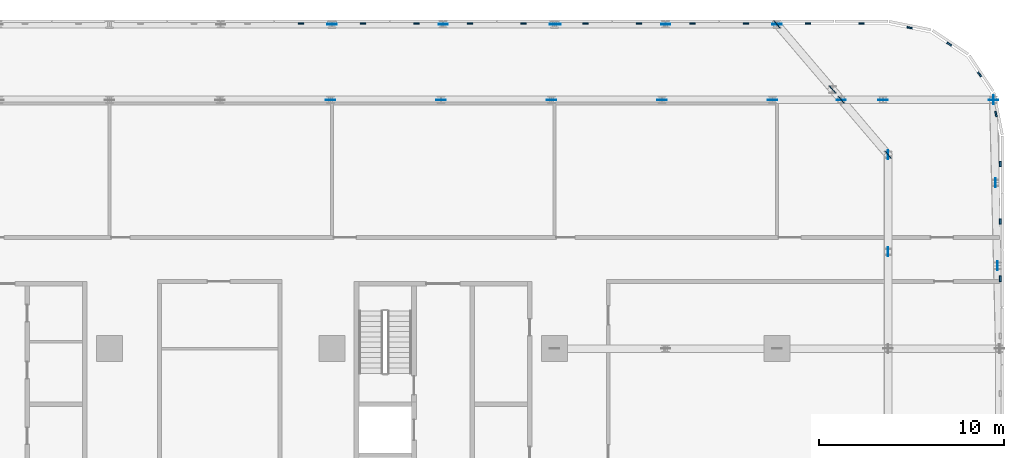
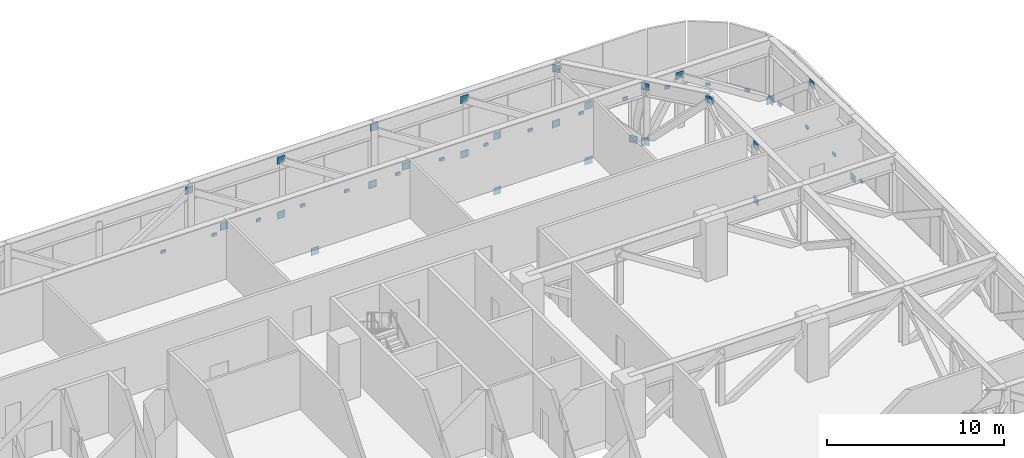
# One storey, part 20 of 26: 47 discrete accessories.
"""IFC4 building model written with IfcOpenShell, lengths in metres."""

from ifc_helpers import new_model, si_unit, direction, frame, origin, origin_2d, place, context, subcontext, project, spatial, rectangle, extrude, material, layer, layer_set, type_object, element, save


model = new_model("IFC4")

# Units and contexts
model_context = context("Model", 3, precision=1e-05, world=origin(), true_north=direction((0.0, 1.0)))
body_context = subcontext(model_context, "Body", "Model", "MODEL_VIEW")
ifc_project = project(units=[si_unit("LENGTHUNIT", "METRE"), si_unit("AREAUNIT", "SQUARE_METRE"), si_unit("VOLUMEUNIT", "CUBIC_METRE"), si_unit("PLANEANGLEUNIT", "RADIAN"), si_unit("MASSUNIT", "GRAM", prefix="KILO")], contexts=[model_context])

# Site, building, storey
site_placement = place(None, origin())
site = spatial("IfcSite", under=ifc_project, at=site_placement, CompositionType="ELEMENT")
building_placement = place(site_placement, origin())
building = spatial("IfcBuilding", under=site, at=building_placement, Name="Mahtab Terrace Research Tower", CompositionType="ELEMENT")
storey_placement = place(building_placement, frame((0.0, 0.0, 117.60009765625)))
storey = spatial("IfcBuildingStorey", under=building, at=storey_placement, Name="L27", CompositionType="ELEMENT", Elevation=117.60009765625)

# Discrete accessories
ifc_material_1 = material(Name="Black anodised aluminium", Category="aluminium")
discrete_accessory_type_1 = type_object("IfcDiscreteAccessoryType", Name="Facade bracket", PredefinedType="BRACKET", material=ifc_material_1)
for number, where, z_axis, x_axis, name in (
    (1, (54.044921875, 15.272705078125, -0.30029296875), (0.0, 0.0, 1.0), (0.0, 1.0, 0.0), "Louvre bracket L27 15"),
    (2, (54.044921875, 18.363525390625, -0.30029296875), (0.0, 0.0, 1.0), (0.0, 1.0, 0.0), "Louvre bracket L27 16"),
    (3, (54.044921875, 21.45458984375, -0.30029296875), (0.0, 0.0, 1.0), (0.0, 1.0, 0.0), "Louvre bracket L27 17"),
    (4, (53.815673828125, 24.15673828125, -0.30029296875), (0.0, 0.0, 1.0), (-0.195212442692, 0.980760981187, 0.0), "Louvre bracket L27 18"),
    (5, (52.930419921875, 26.29443359375, -0.30029296875), (0.0, 0.0, 1.0), (-0.555291490808, 0.831655794326, 0.0), "Louvre bracket L27 19"),
    (6, (51.29443359375, 27.930419921875, -0.30029296875), (0.0, 0.0, 1.0), (-0.831655794326, 0.555291490808, 0.0), "Louvre bracket L27 20"),
    (7, (49.15673828125, 28.815673828125, -0.30029296875), (0.0, 0.0, 1.0), (-0.980760981187, 0.195212442692, 0.0), "Louvre bracket L27 21"),
    (8, (46.556884765625, 29.044921875, -0.30029296875), (0.0, 0.0, 1.0), (-1.0, 0.0, 0.0), "Louvre bracket L27 22"),
    (9, (43.6708984375, 29.044921875, -0.30029296875), (0.0, 0.0, 1.0), (-1.0, 0.0, 0.0), "Louvre bracket L27 23"),
    (10, (40.3291015625, 29.044921875, -0.30029296875), (0.0, 0.0, 1.0), (-1.0, 0.0, 0.0), "Louvre bracket L27 24"),
    (11, (37.443115234375, 29.044921875, -0.30029296875), (0.0, 0.0, 1.0), (-1.0, 0.0, 0.0), "Louvre bracket L27 25"),
    (12, (34.556884765625, 29.044921875, -0.30029296875), (0.0, 0.0, 1.0), (-1.0, 0.0, 0.0), "Louvre bracket L27 26"),
    (13, (31.6708984375, 29.044921875, -0.30029296875), (0.0, 0.0, 1.0), (-1.0, 0.0, 0.0), "Louvre bracket L27 27"),
    (14, (28.3291015625, 29.044921875, -0.30029296875), (0.0, 0.0, 1.0), (-1.0, 0.0, 0.0), "Louvre bracket L27 28"),
    (15, (25.443115234375, 29.044921875, -0.30029296875), (0.0, 0.0, 1.0), (-1.0, 0.0, 0.0), "Louvre bracket L27 29"),
    (16, (22.556884765625, 29.044921875, -0.30029296875), (0.0, 0.0, 1.0), (-1.0, 0.0, 0.0), "Louvre bracket L27 30"),
    (17, (19.6708984375, 29.044921875, -0.30029296875), (0.0, 0.0, 1.0), (-1.0, 0.0, 0.0), "Louvre bracket L27 31"),
    (18, (16.3291015625, 29.044921875, -0.30029296875), (0.0, 0.0, 1.0), (-1.0, 0.0, 0.0), "Louvre bracket L27 32"),
):
    element("IfcDiscreteAccessory", number, at=place(storey_placement, frame(where, z_axis=z_axis, x_axis=x_axis)), inside=storey, type_object=discrete_accessory_type_1, Name=name, PredefinedType="BRACKET", context=body_context, shape_type="SweptSolid", body=[
        extrude(rectangle(XDim=0.300048828125, YDim=0.090087890625, at=origin_2d()), origin(), (0.0, 0.0, 1.0), 0.199951171875),
    ])
ifc_material_2 = material(Name="Steel ASTM A992 Gr 50", Category="steel")
ifc_layer = layer(ifc_material_2, 0.030029296875)
ifc_layer_set = layer_set([ifc_layer], Name="Gusset plate 500x500x30")
discrete_accessory_type_2 = type_object("IfcDiscreteAccessoryType", Name="Gusset plate 500x500x30", PredefinedType="USERDEFINED", material=ifc_layer_set)
for number, where, z_axis, x_axis, name in (
    (19, (17.9208984375, 24.927001953125, 3.251220703125), (0.0, 0.0, 1.0), (1.0, 0.0, 0.0), "Gusset plate"),
    (20, (18.0, 29.0, 3.251220703125), (0.0, 0.0, 1.0), (1.0, 0.0, 0.0), "Gusset plate"),
    (21, (23.881103515625, 24.927001953125, -0.558837890625), (0.0, 0.0, 1.0), (1.0, 0.0, 0.0), "Gusset plate"),
    (22, (24.0, 29.0, -0.558837890625), (0.0, 0.0, 1.0), (1.0, 0.0, 0.0), "Gusset plate"),
    (23, (24.0, 29.0, 3.251220703125), (0.0, 0.0, 1.0), (1.0, 0.0, 0.0), "Gusset plate"),
    (24, (29.841064453125, 24.927001953125, 3.251220703125), (0.0, 0.0, 1.0), (1.0, 0.0, 0.0), "Gusset plate"),
    (25, (30.0, 29.0, -0.558837890625), (0.0, 0.0, 1.0), (1.0, 0.0, 0.0), "Gusset plate"),
    (26, (30.102783203125, 29.0, 3.37646484375), (0.0, 0.0, 1.0), (1.0, 0.0, 0.0), "Gusset plate"),
    (27, (35.801025390625, 24.927001953125, -0.558837890625), (0.0, 0.0, 1.0), (1.0, 0.0, 0.0), "Gusset plate"),
    (28, (35.801025390625, 24.927001953125, 3.251220703125), (0.0, 0.0, 1.0), (1.0, 0.0, 0.0), "Gusset plate"),
    (29, (36.0, 29.0, -0.558837890625), (0.0, 0.0, 1.0), (1.0, 0.0, 0.0), "Gusset plate"),
    (30, (36.0, 29.0, 3.251220703125), (0.0, 0.0, 1.0), (1.0, 0.0, 0.0), "Gusset plate"),
    (31, (41.760986328125, 24.927001953125, -0.558837890625), (0.0, 0.0, 1.0), (1.0, 0.0, 0.0), "Gusset plate"),
    (32, (41.760986328125, 24.927001953125, 3.251220703125), (0.0, 0.0, 1.0), (1.0, 0.0, 0.0), "Gusset plate"),
    (33, (42.0, 29.0, -0.558837890625), (0.0, 0.0, 1.0), (1.0, 0.0, 0.0), "Gusset plate"),
    (34, (45.471923828125, 24.927001953125, -0.558837890625), (0.0, 0.0, 1.0), (1.0, 0.0, 0.0), "Gusset plate"),
    (35, (47.721923828125, 24.927001953125, 3.251220703125), (0.0, 0.0, 1.0), (1.0, 0.0, 0.0), "Gusset plate"),
    (36, (53.681884765625, 24.927001953125, -0.558837890625), (0.0, 0.0, 1.0), (1.0, 0.0, 0.0), "Gusset plate"),
    (37, (48.0, 16.73095703125, -0.558837890625), (0.0, 0.0, 1.0), (0.0, 1.0, 0.0), "Gusset plate"),
    (38, (48.0, 16.73095703125, 3.251220703125), (0.0, 0.0, 1.0), (0.0, 1.0, 0.0), "Gusset plate"),
    (39, (48.0, 21.9619140625, 3.251220703125), (0.0, 0.0, 1.0), (0.0, 1.0, 0.0), "Gusset plate"),
    (40, (53.681884765625, 24.927001953125, -0.558837890625), (0.0, 0.0, 1.0), (-0.023681903794, 0.999719544389, 0.0), "Gusset plate"),
    (41, (53.7880859375, 20.450927734375, 3.251220703125), (0.0, 0.0, 1.0), (-0.023681903794, 0.999719544389, 0.0), "Gusset plate"),
    (42, (53.89404296875, 15.97607421875, -0.558837890625), (0.0, 0.0, 1.0), (-0.023681903794, 0.999719544389, 0.0), "Gusset plate"),
    (43, (42.0, 29.0, 3.251220703125), (0.0, 0.0, 1.0), (-0.648757658391, 0.760995072703, 0.0), "Gusset plate"),
    (44, (45.0, 25.48095703125, -0.558837890625), (0.0, 0.0, 1.0), (-0.648757658391, 0.760995072703, 0.0), "Gusset plate"),
    (45, (45.471923828125, 24.927001953125, -0.558837890625), (0.0, 0.0, 1.0), (-0.648797503111, 0.760961102788, 0.0), "Gusset plate"),
    (46, (45.471923828125, 24.927001953125, 3.251220703125), (0.0, 0.0, 1.0), (-0.648531838055, 0.761187529476, 0.0), "Gusset plate"),
    (47, (48.0, 21.9619140625, 3.251220703125), (0.0, 0.0, 1.0), (-0.648797503111, 0.760961102788, 0.0), "Gusset plate"),
):
    element("IfcDiscreteAccessory", number, at=place(storey_placement, frame(where, z_axis=z_axis, x_axis=x_axis)), inside=storey, type_object=discrete_accessory_type_2, Name=name, ObjectType="GUSSET PLATE", PredefinedType="USERDEFINED", context=body_context, shape_type="SweptSolid", body=[
        extrude(rectangle(XDim=0.5, YDim=0.030029296875, at=origin_2d()), origin(), (0.0, 0.0, 1.0), 0.5),
    ])

save(model, "model.ifc")
